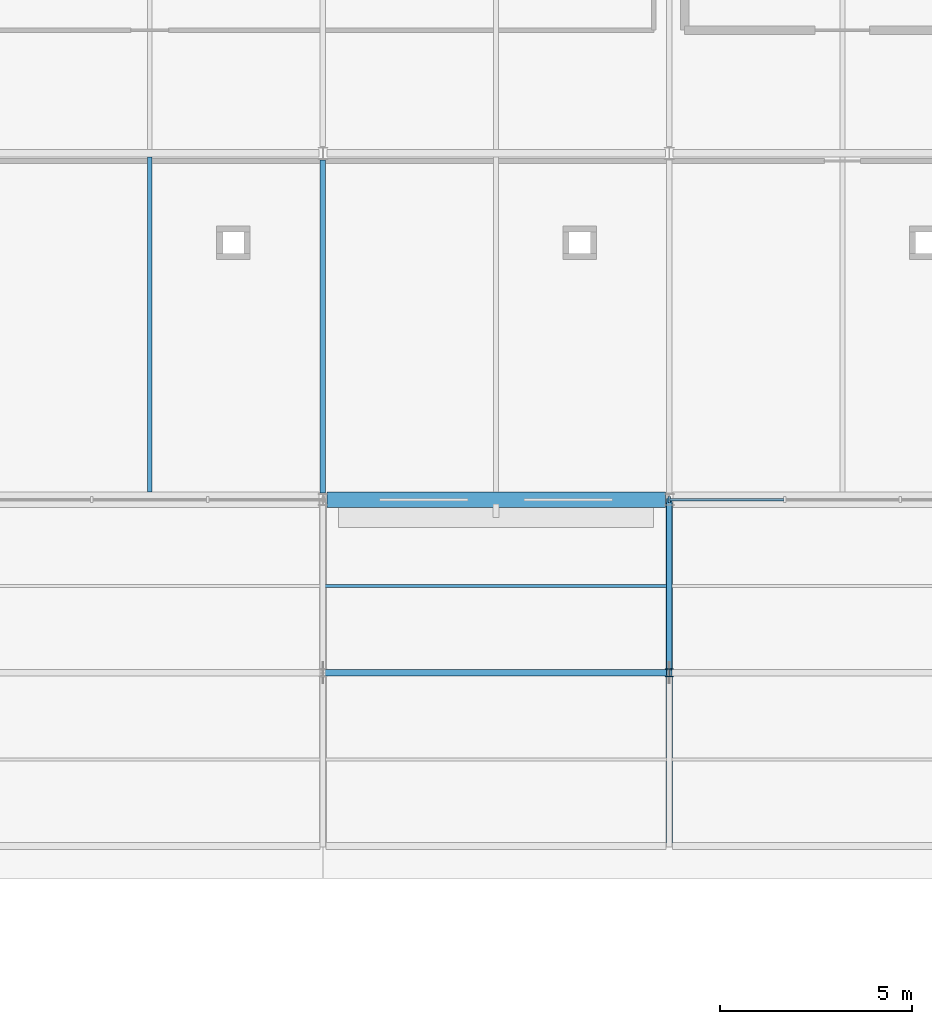
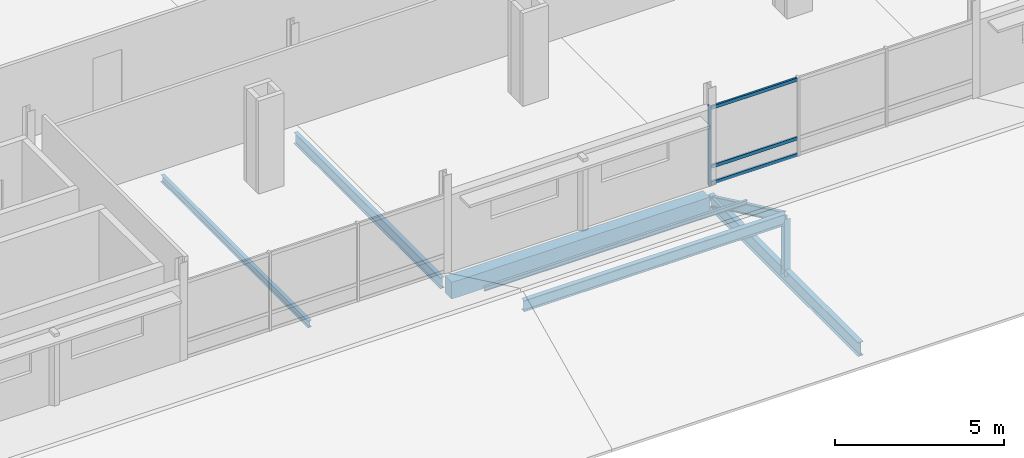
# One storey, part 72 of 132: 8 members, 4 beams, 1 element without a shape of its own.
"""IFC4 building model written with IfcOpenShell, lengths in metres."""

from ifc_helpers import new_model, si_unit, direction, frame, origin, origin_2d, place, context, subcontext, project, spatial, rectangle, i_section, extrude, material, material_profile, profile_set, type_object, element, aggregate, save


model = new_model("IFC4")

# Units and contexts
model_context = context("Model", 3, precision=1e-05, world=origin(), true_north=direction((0.0, 1.0)))
body_context = subcontext(model_context, "Body", "Model", "MODEL_VIEW")
ifc_project = project(units=[si_unit("LENGTHUNIT", "METRE"), si_unit("AREAUNIT", "SQUARE_METRE"), si_unit("VOLUMEUNIT", "CUBIC_METRE"), si_unit("PLANEANGLEUNIT", "RADIAN"), si_unit("MASSUNIT", "GRAM", prefix="KILO")], contexts=[model_context])

# Site, building, storey
site_placement = place(None, origin())
site = spatial("IfcSite", under=ifc_project, at=site_placement, CompositionType="ELEMENT")
building_placement = place(site_placement, origin())
building = spatial("IfcBuilding", under=site, at=building_placement, Name="Tharagai Park Tramway Depot", CompositionType="ELEMENT")
storey_placement = place(building_placement, frame((0.0, 0.0, 4.800048828125)))
storey = spatial("IfcBuildingStorey", under=building, at=storey_placement, Name="L01", CompositionType="ELEMENT", Elevation=4.800048828125)

# Beams
ifc_material_1 = material(Name="Steel E350", Category="steel")
ifc_material_profile_1 = material_profile(ifc_material_1, i_section(OverallWidth=0.139892578125, OverallDepth=0.39990234375, WebThickness=0.0087890625, FlangeThickness=0.01611328125, FilletRadius=0.013916015625, at=origin_2d()), Name="ISMB 400")
ifc_profile_set_1 = profile_set([ifc_material_profile_1], Name="Steel E350")
beam_type_1 = type_object("IfcBeamType", Name="BM-06", PredefinedType="BEAM", material=ifc_profile_set_1)
beam_1_placement = place(storey_placement, frame((180.0, 99.175048828125, -0.47998046875), z_axis=(0.0, 1.0, 0.0), x_axis=(-1.0, 0.0, 0.0)))
element("IfcBeam", 1, at=beam_1_placement, inside=storey, type_object=beam_type_1, Name="L01 Grid Beam BM-06", PredefinedType="BEAM", context=body_context, shape_type="SweptSolid", body=[
    extrude(i_section(OverallWidth=0.139892578125, OverallDepth=0.39990234375, WebThickness=0.0087890625, FlangeThickness=0.01611328125, FilletRadius=0.013916015625, at=origin_2d()), origin(), (0.0, 0.0, 1.0), 8.64990234375),
])
ifc_material_profile_2 = material_profile(ifc_material_1, i_section(OverallWidth=0.179931640625, OverallDepth=0.5, WebThickness=0.01025390625, FlangeThickness=0.01708984375, FilletRadius=0.01708984375, at=origin_2d()), Name="ISMB 500")
ifc_profile_set_2 = profile_set([ifc_material_profile_2], Name="Steel E350")
beam_type_2 = type_object("IfcBeamType", Name="BM-18", PredefinedType="BEAM", material=ifc_profile_set_2)
beam_2_placement = place(storey_placement, frame((189.0, 90.080078125, -0.5), z_axis=(0.0, 1.0, 0.0), x_axis=(-1.0, 0.0, 0.0)))
element("IfcBeam", 2, at=beam_2_placement, inside=storey, type_object=beam_type_2, Name="V3A Gable Tie Girder BM-18", PredefinedType="BEAM", context=body_context, shape_type="SweptSolid", body=[
    extrude(i_section(OverallWidth=0.179931640625, OverallDepth=0.5, WebThickness=0.01025390625, FlangeThickness=0.01708984375, FilletRadius=0.01708984375, at=origin_2d()), origin(), (0.0, 0.0, 1.0), 8.83984375),
])

# Member
ifc_material_profile_3 = material_profile(ifc_material_1, i_section(OverallWidth=0.199951171875, OverallDepth=0.199951171875, WebThickness=0.0078125, FlangeThickness=0.009033203125, FilletRadius=0.009033203125, at=origin_2d()), Name="ISHB 200")
ifc_profile_set_3 = profile_set([ifc_material_profile_3], Name="Steel E350")
member_type_1 = type_object("IfcMemberType", Name="BR-10", PredefinedType="BRACE", material=ifc_profile_set_3)
member_1_placement = place(storey_placement, frame((189.0, 94.5, -0.5), z_axis=(0.0, 0.0, 1.0), x_axis=(1.0, 0.0, 0.0)))
element("IfcMember", 3, at=member_1_placement, inside=storey, type_object=member_type_1, Name="V3A Gable King Strut BR-10", PredefinedType="BRACE", context=body_context, shape_type="SweptSolid", body=[
    extrude(i_section(OverallWidth=0.199951171875, OverallDepth=0.199951171875, WebThickness=0.0078125, FlangeThickness=0.009033203125, FilletRadius=0.009033203125, at=origin_2d()), origin(), (0.0, 0.0, 1.0), 2.065673828125),
])

# Curtain wall, members
ifc_material_2 = material(Name="Anodised aluminium", Category="aluminium")
curtain_wall_type = type_object("IfcCurtainWallType", Name="CW-01", PredefinedType="NOTDEFINED", material=ifc_material_2)
curtain_wall_placement = place(storey_placement, origin())
curtain_wall = element("IfcCurtainWall", 4, at=curtain_wall_placement, inside=storey, type_object=curtain_wall_type, Name="L01 V3 Gothic Mullioned Curtain Wall CW-01", PredefinedType="NOTDEFINED")
ifc_material_profile_4 = material_profile(ifc_material_2, rectangle(XDim=0.06494140625, YDim=0.1201171875, at=origin_2d()), Name="ALU 65x120")
ifc_profile_set_4 = profile_set([ifc_material_profile_4], Name="Anodised aluminium")
member_type_2 = type_object("IfcMemberType", Name="CM-01", PredefinedType="USERDEFINED", material=ifc_profile_set_4)
member_2_placement = place(storey_placement, frame((189.010986328125, 99.0, 0.06005859375), z_axis=(1.0, 0.0, 0.0), x_axis=(0.0, 1.0, 0.0)))
member_2 = element("IfcMember", 5, at=member_2_placement, type_object=member_type_2, Name="L01 V3 Gothic Mullioned Curtain Wall Transom 1.1", ObjectType="TRANSOM", PredefinedType="USERDEFINED", context=body_context, shape_type="SweptSolid", body=[
    extrude(rectangle(XDim=0.06494140625, YDim=0.1201171875, at=origin_2d()), origin(), (0.0, 0.0, 1.0), 2.97265625),
])
member_3_placement = place(storey_placement, frame((189.010986328125, 99.0, 0.64990234375), z_axis=(1.0, 0.0, 0.0), x_axis=(0.0, 1.0, 0.0)))
member_3 = element("IfcMember", 6, at=member_3_placement, type_object=member_type_2, Name="L01 V3 Gothic Mullioned Curtain Wall Transom 1.2", ObjectType="TRANSOM", PredefinedType="USERDEFINED", context=body_context, shape_type="SweptSolid", body=[
    extrude(rectangle(XDim=0.06494140625, YDim=0.1201171875, at=origin_2d()), origin(), (0.0, 0.0, 1.0), 2.97265625),
])
member_4_placement = place(storey_placement, frame((189.010986328125, 99.0, 2.77001953125), z_axis=(1.0, 0.0, 0.0), x_axis=(0.0, 1.0, 0.0)))
member_4 = element("IfcMember", 7, at=member_4_placement, type_object=member_type_2, Name="L01 V3 Gothic Mullioned Curtain Wall Transom 1.3", ObjectType="TRANSOM", PredefinedType="USERDEFINED", context=body_context, shape_type="SweptSolid", body=[
    extrude(rectangle(XDim=0.06494140625, YDim=0.1201171875, at=origin_2d()), origin(), (0.0, 0.0, 1.0), 2.97265625),
])
ifc_material_profile_5 = material_profile(ifc_material_2, rectangle(XDim=0.06494140625, YDim=0.14990234375, at=origin_2d()), Name="ALU 65x150")
ifc_profile_set_5 = profile_set([ifc_material_profile_5], Name="Anodised aluminium")
member_type_3 = type_object("IfcMemberType", Name="CM-03", PredefinedType="MULLION", material=ifc_profile_set_5)
member_5_placement = place(storey_placement, frame((188.99609375, 99.0, -0.005126953125), z_axis=(0.0, 0.0, 1.0), x_axis=(1.0, 0.0, 0.0)))
member_5 = element("IfcMember", 8, at=member_5_placement, type_object=member_type_3, Name="L01 V3 Gothic Mullioned Curtain Wall Mullion 1", PredefinedType="MULLION", context=body_context, shape_type="SweptSolid", body=[
    extrude(rectangle(XDim=0.06494140625, YDim=0.14990234375, at=origin_2d()), origin(), (0.0, 0.0, 1.0), 2.860107421875),
])
aggregate(curtain_wall, [member_5, member_2, member_3, member_4])

# Beam
ifc_material_3 = material(Name="Steel E250", Category="steel")
ifc_material_profile_6 = material_profile(ifc_material_3, i_section(OverallWidth=0.125, OverallDepth=0.25, WebThickness=0.0068359375, FlangeThickness=0.012451171875, FilletRadius=0.012939453125, at=origin_2d()), Name="ISMB 250")
ifc_profile_set_6 = profile_set([ifc_material_profile_6], Name="Steel E250")
beam_type_3 = type_object("IfcBeamType", Name="JT-02", PredefinedType="JOIST", material=ifc_profile_set_6)
beam_3_placement = place(storey_placement, frame((175.5, 99.199951171875, -0.405029296875), z_axis=(0.0, 1.0, 0.0), x_axis=(-1.0, 0.0, 0.0)))
element("IfcBeam", 9, at=beam_3_placement, inside=storey, type_object=beam_type_3, Name="L01 Secondary Joist JT-02", PredefinedType="JOIST", context=body_context, shape_type="SweptSolid", body=[
    extrude(i_section(OverallWidth=0.125, OverallDepth=0.25, WebThickness=0.0068359375, FlangeThickness=0.012451171875, FilletRadius=0.012939453125, at=origin_2d()), origin(), (0.0, 0.0, 1.0), 8.699951171875),
])

# Members
ifc_material_profile_7 = material_profile(ifc_material_3, i_section(OverallWidth=0.080078125, OverallDepth=0.14990234375, WebThickness=0.0048828125, FlangeThickness=0.007568359375, FilletRadius=0.009033203125, at=origin_2d()), Name="ISMB 150")
ifc_profile_set_7 = profile_set([ifc_material_profile_7], Name="Steel E250")
member_type_4 = type_object("IfcMemberType", Name="PR-05", PredefinedType="PURLIN", material=ifc_profile_set_7)
member_6_placement = place(storey_placement, frame((180.02001953125, 96.75, 0.771484375), z_axis=(1.0, 0.0, 0.0), x_axis=(0.0, 1.0, 0.0)))
element("IfcMember", 10, at=member_6_placement, inside=storey, type_object=member_type_4, Name="V3A Roof Purlin PR-05", PredefinedType="PURLIN", context=body_context, shape_type="SweptSolid", body=[
    extrude(i_section(OverallWidth=0.080078125, OverallDepth=0.14990234375, WebThickness=0.0048828125, FlangeThickness=0.007568359375, FilletRadius=0.009033203125, at=origin_2d()), origin(), (0.0, 0.0, 1.0), 8.9599609375),
])
ifc_material_profile_8 = material_profile(ifc_material_1, i_section(OverallWidth=0.139892578125, OverallDepth=0.35009765625, WebThickness=0.008056640625, FlangeThickness=0.01416015625, FilletRadius=0.013916015625, at=origin_2d()), Name="ISMB 350")
ifc_profile_set_8 = profile_set([ifc_material_profile_8], Name="Steel E350")
member_type_5 = type_object("IfcMemberType", Name="RF-01", PredefinedType="RAFTER", material=ifc_profile_set_8)
member_7_placement = place(storey_placement, frame((189.0, 94.5, 1.565673828125), z_axis=(0.0, 0.904482163098, -0.426511449598), x_axis=(-1.0, 0.0, 0.0)))
element("IfcMember", 11, at=member_7_placement, inside=storey, type_object=member_type_5, Name="V3A Pitched Rafter RF-01 North", PredefinedType="RAFTER", context=body_context, shape_type="SweptSolid", body=[
    extrude(i_section(OverallWidth=0.139892578125, OverallDepth=0.35009765625, WebThickness=0.008056640625, FlangeThickness=0.01416015625, FilletRadius=0.013916015625, at=origin_2d()), origin(), (0.0, 0.0, 1.0), 4.919921875),
])

# Beam
ifc_material_4 = material(Name="Concrete M35", Category="concrete")
ifc_material_profile_9 = material_profile(ifc_material_4, rectangle(XDim=0.39990234375, YDim=0.60009765625, at=origin_2d()), Name="RC 400x600")
ifc_profile_set_9 = profile_set([ifc_material_profile_9], Name="Concrete M35")
beam_type_4 = type_object("IfcBeamType", Name="SP-02", PredefinedType="SPANDREL", material=ifc_profile_set_9)
beam_4_placement = place(storey_placement, frame((180.10009765625, 99.0, -0.580078125), z_axis=(1.0, 0.0, 0.0), x_axis=(0.0, 1.0, 0.0)))
element("IfcBeam", 12, at=beam_4_placement, inside=storey, type_object=beam_type_4, Name="L01 Grid Beam SP-02", PredefinedType="SPANDREL", context=body_context, shape_type="SweptSolid", body=[
    extrude(rectangle(XDim=0.39990234375, YDim=0.60009765625, at=origin_2d()), origin(), (0.0, 0.0, 1.0), 8.7998046875),
])

# Member
ifc_material_profile_10 = material_profile(ifc_material_1, i_section(OverallWidth=0.1650390625, OverallDepth=0.39990234375, WebThickness=0.008056640625, FlangeThickness=0.012451171875, FilletRadius=0.013916015625, at=origin_2d()), Name="ISLB 400")
ifc_profile_set_10 = profile_set([ifc_material_profile_10], Name="Steel E350")
member_type_6 = type_object("IfcMemberType", Name="TC-04", PredefinedType="CHORD", material=ifc_profile_set_10)
member_8_placement = place(storey_placement, frame((180.0400390625, 94.5, 1.540771484375), z_axis=(1.0, 0.0, 0.0), x_axis=(0.0, 1.0, 0.0)))
element("IfcMember", 13, at=member_8_placement, inside=storey, type_object=member_type_6, Name="V3A Roof Ridge Chord TC-04", PredefinedType="CHORD", context=body_context, shape_type="SweptSolid", body=[
    extrude(i_section(OverallWidth=0.1650390625, OverallDepth=0.39990234375, WebThickness=0.008056640625, FlangeThickness=0.012451171875, FilletRadius=0.013916015625, at=origin_2d()), origin(), (0.0, 0.0, 1.0), 8.919921875),
])

save(model, "model.ifc")
